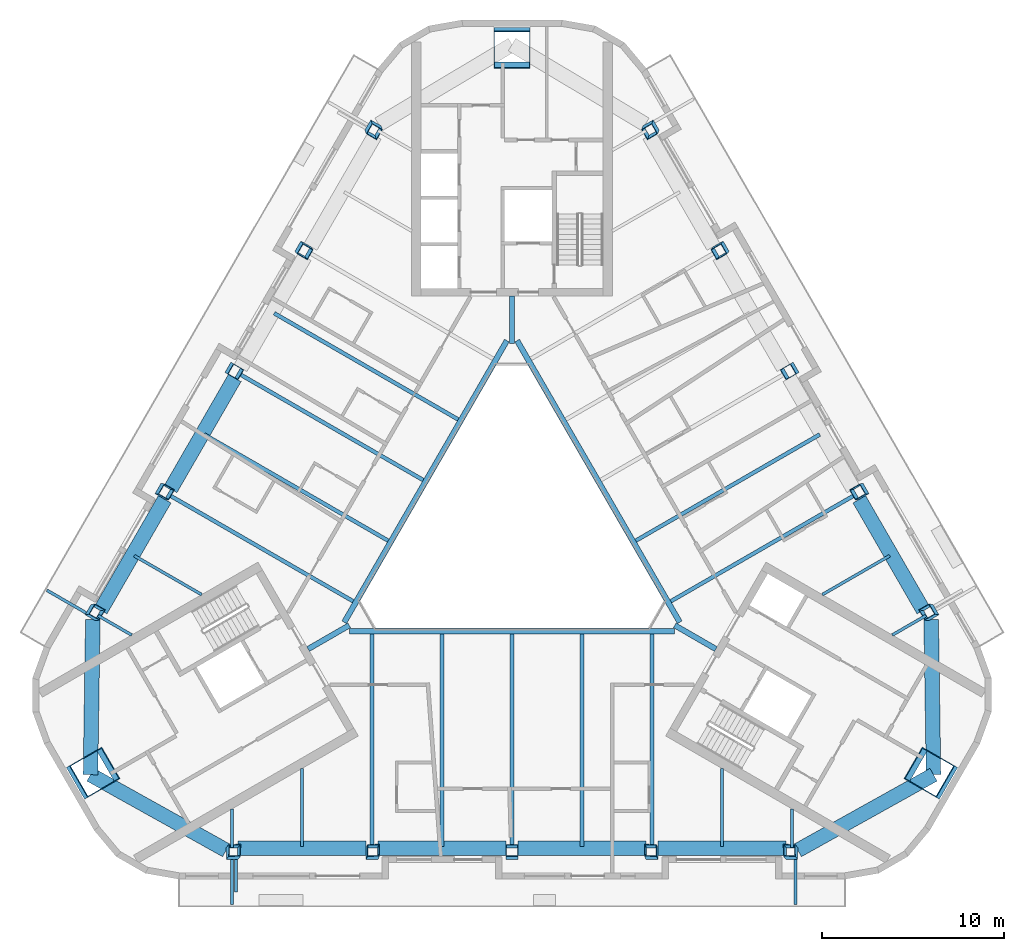
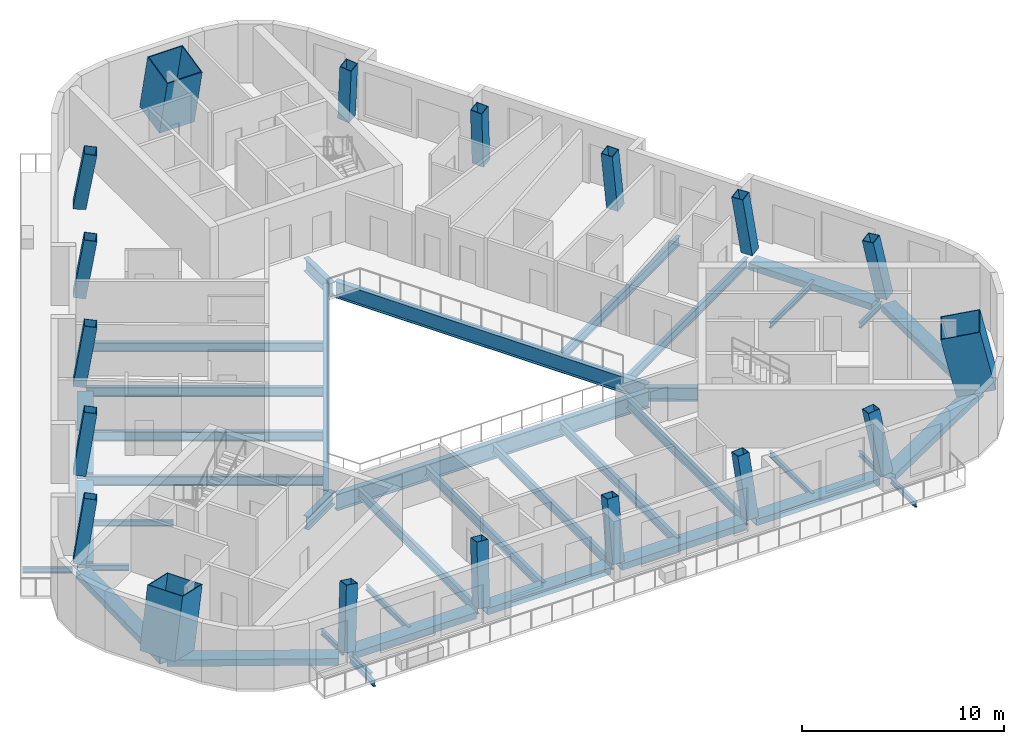
# One storey, part 1 of 14: 40 beams, 18 columns.
"""IFC4 building model written with IfcOpenShell, lengths in metres."""

from ifc_helpers import new_model, si_unit, direction, frame, origin, origin_2d, place, context, subcontext, project, spatial, rectangle, hollow_rectangle, i_section, extrude, boolean, halfspace, material, material_profile, profile_set, type_object, element, save


model = new_model("IFC4")

# Units and contexts
model_context = context("Model", 3, precision=1e-05, world=origin(), true_north=direction((0.0, 1.0)))
body_context = subcontext(model_context, "Body", "Model", "MODEL_VIEW")
ifc_project = project(units=[si_unit("LENGTHUNIT", "METRE"), si_unit("AREAUNIT", "SQUARE_METRE"), si_unit("VOLUMEUNIT", "CUBIC_METRE"), si_unit("PLANEANGLEUNIT", "RADIAN"), si_unit("MASSUNIT", "GRAM", prefix="KILO")], contexts=[model_context])

# Site, building, storey
site_placement = place(None, origin())
site = spatial("IfcSite", under=ifc_project, at=site_placement, CompositionType="ELEMENT")
building_placement = place(site_placement, origin())
building = spatial("IfcBuilding", under=site, at=building_placement, Name="Apuvela Tower Hotel", CompositionType="ELEMENT")
storey_placement = place(building_placement, frame((0.0, 0.0, 265.199951171875)))
storey = spatial("IfcBuildingStorey", under=building, at=storey_placement, Name="L65", CompositionType="ELEMENT", Elevation=265.199951171875)

# Columns
ifc_material_1 = material(Name="Steel S460", Category="steel")
ifc_material_profile_1 = material_profile(ifc_material_1, hollow_rectangle(XDim=2.0, YDim=2.0, WallThickness=0.050048828125, at=origin_2d()), Name="BOX 2000x2000x50")
ifc_material_2 = material(Name="Concrete C80/95", Category="concrete")
ifc_material_profile_2 = material_profile(ifc_material_2, rectangle(XDim=1.89990234375, YDim=1.89990234375, at=origin_2d()), Name="Concrete C80/95 infill")
ifc_profile_set_1 = profile_set([ifc_material_profile_1, ifc_material_profile_2], Name="Steel S460")
column_type_1 = type_object("IfcColumnType", Name="STR-MC mega column BOX 2000x2000x50", PredefinedType="COLUMN", material=ifc_profile_set_1)
for number, where, z_axis, x_axis, name in (
    (1, (0.0, 26.67626953125, 0.0), (0.0, -0.21982618752, 0.975539054718), (1.0, 0.0, 0.0), "Mega column MC4 N"),
    (2, (-23.102294921875, -13.338134765625, 0.0), (0.190346159062, 0.109881938965, 0.975548204457), (-0.499994868029, 0.866028366632, 1.1507946e-05), "Mega column MC4 SW"),
    (3, (23.102294921875, -13.338134765625, 0.0), (-0.190346159062, 0.109881938965, 0.975548204457), (0.499994868029, 0.866028366632, 1.1507946e-05), "Mega column MC4 SE"),
):
    element("IfcColumn", number, at=place(storey_placement, frame(where, z_axis=z_axis, x_axis=x_axis)), inside=storey, type_object=column_type_1, Name=name, PredefinedType="COLUMN", context=body_context, shape_type="SweptSolid", body=[
        boolean("DIFFERENCE", boolean("DIFFERENCE", extrude(hollow_rectangle(XDim=2.0, YDim=2.0, WallThickness=0.050048828125, at=origin_2d()), origin(), (0.0, 0.0, 1.0), 3.792724609375), halfspace(frame((0.0, 0.0, 0.11328125), z_axis=(0.0, 0.0, 1.0), x_axis=(1.0, 0.0, 0.0)), True)), halfspace(frame((0.0, 0.0, 3.679443359375), z_axis=(0.0, 0.0, 1.0), x_axis=(1.0, 0.0, 0.0)), False)),
    ])
ifc_material_profile_3 = material_profile(ifc_material_1, hollow_rectangle(XDim=0.64990234375, YDim=0.64990234375, WallThickness=0.030029296875, at=origin_2d()), Name="BOX 650x650x30")
ifc_material_profile_4 = material_profile(ifc_material_2, rectangle(XDim=0.590087890625, YDim=0.590087890625, at=origin_2d()), Name="Concrete C80/95 infill")
ifc_profile_set_2 = profile_set([ifc_material_profile_3, ifc_material_profile_4], Name="Steel S460")
column_type_2 = type_object("IfcColumnType", Name="STR-PC perimeter column BOX 650x650x30", PredefinedType="COLUMN", material=ifc_profile_set_2)
column_1_placement = place(storey_placement, frame((-15.343505859375, -17.662841796875, 0.0), z_axis=(0.121006106938, 0.150399778714, 0.981191840899), x_axis=(-0.992606962496, 0.008942251163, 0.121043191254)))
element("IfcColumn", 4, at=column_1_placement, inside=storey, type_object=column_type_2, Name="Perimeter column C6 S1", PredefinedType="COLUMN", context=body_context, shape_type="SweptSolid", body=[
    boolean("DIFFERENCE", boolean("DIFFERENCE", extrude(hollow_rectangle(XDim=0.64990234375, YDim=0.64990234375, WallThickness=0.030029296875, at=origin_2d()), origin(), (0.0, 0.0, 1.0), 3.77099609375), halfspace(frame((0.0, 0.0, 0.046875), z_axis=(0.0, 0.0, 1.0), x_axis=(1.0, 0.0, 0.0)), True)), halfspace(frame((0.0, 0.0, 3.72412109375), z_axis=(0.0, 0.0, 1.0), x_axis=(1.0, 0.0, 0.0)), False)),
])
column_2_placement = place(storey_placement, frame((-7.671875, -17.662841796875, 0.0), z_axis=(0.060870463553, 0.151232178432, 0.986622326361), x_axis=(-0.99813528898, 0.004713590867, 0.06085825296)))
element("IfcColumn", 5, at=column_2_placement, inside=storey, type_object=column_type_2, Name="Perimeter column C6 S2", PredefinedType="COLUMN", context=body_context, shape_type="SweptSolid", body=[
    boolean("DIFFERENCE", boolean("DIFFERENCE", extrude(hollow_rectangle(XDim=0.64990234375, YDim=0.64990234375, WallThickness=0.030029296875, at=origin_2d()), origin(), (0.0, 0.0, 1.0), 3.75), halfspace(frame((0.0, 0.0, 0.039794921875), z_axis=(0.0, 0.0, 1.0), x_axis=(1.0, 0.0, 0.0)), True)), halfspace(frame((0.0, 0.0, 3.71044921875), z_axis=(0.0, 0.0, 1.0), x_axis=(1.0, 0.0, 0.0)), False)),
])
column_3_placement = place(storey_placement, frame((0.0, -17.662841796875, 0.0), z_axis=(0.0, 0.151513133163, 0.98845524455), x_axis=(-1.0, 0.0, 0.0)))
element("IfcColumn", 6, at=column_3_placement, inside=storey, type_object=column_type_2, Name="Perimeter column C6 S3", PredefinedType="COLUMN", context=body_context, shape_type="SweptSolid", body=[
    boolean("DIFFERENCE", boolean("DIFFERENCE", extrude(hollow_rectangle(XDim=0.64990234375, YDim=0.64990234375, WallThickness=0.030029296875, at=origin_2d()), origin(), (0.0, 0.0, 1.0), 3.7431640625), halfspace(frame((0.0, 0.0, 0.037109375), z_axis=(0.0, 0.0, 1.0), x_axis=(1.0, 0.0, 0.0)), True)), halfspace(frame((0.0, 0.0, 3.7060546875), z_axis=(0.0, 0.0, 1.0), x_axis=(1.0, 0.0, 0.0)), False)),
])
column_4_placement = place(storey_placement, frame((7.671875, -17.662841796875, 0.0), z_axis=(-0.060870463553, 0.151232178432, 0.986622326361), x_axis=(0.99813528898, 0.004713590867, 0.06085825296)))
element("IfcColumn", 7, at=column_4_placement, inside=storey, type_object=column_type_2, Name="Perimeter column C6 S4", PredefinedType="COLUMN", context=body_context, shape_type="SweptSolid", body=[
    boolean("DIFFERENCE", boolean("DIFFERENCE", extrude(hollow_rectangle(XDim=0.64990234375, YDim=0.64990234375, WallThickness=0.030029296875, at=origin_2d()), origin(), (0.0, 0.0, 1.0), 3.75), halfspace(frame((0.0, 0.0, 0.039794921875), z_axis=(0.0, 0.0, 1.0), x_axis=(1.0, 0.0, 0.0)), True)), halfspace(frame((0.0, 0.0, 3.71044921875), z_axis=(0.0, 0.0, 1.0), x_axis=(1.0, 0.0, 0.0)), False)),
])
column_5_placement = place(storey_placement, frame((15.343505859375, -17.662841796875, 0.0), z_axis=(-0.121006106938, 0.150399778714, 0.981191840899), x_axis=(0.992606962496, 0.008942251163, 0.121043191254)))
element("IfcColumn", 8, at=column_5_placement, inside=storey, type_object=column_type_2, Name="Perimeter column C6 S5", PredefinedType="COLUMN", context=body_context, shape_type="SweptSolid", body=[
    boolean("DIFFERENCE", boolean("DIFFERENCE", extrude(hollow_rectangle(XDim=0.64990234375, YDim=0.64990234375, WallThickness=0.030029296875, at=origin_2d()), origin(), (0.0, 0.0, 1.0), 3.77099609375), halfspace(frame((0.0, 0.0, 0.046875), z_axis=(0.0, 0.0, 1.0), x_axis=(1.0, 0.0, 0.0)), True)), halfspace(frame((0.0, 0.0, 3.72412109375), z_axis=(0.0, 0.0, 1.0), x_axis=(1.0, 0.0, 0.0)), False)),
])
column_6_placement = place(storey_placement, frame((22.96826171875, -4.45654296875, 0.0), z_axis=(-0.190735471498, 0.029652697198, 0.981193506634), x_axis=(0.488320350716, -0.86422901804, 0.121043130549)))
element("IfcColumn", 9, at=column_6_placement, inside=storey, type_object=column_type_2, Name="Perimeter column C6 NE1", PredefinedType="COLUMN", context=body_context, shape_type="SweptSolid", body=[
    boolean("DIFFERENCE", boolean("DIFFERENCE", extrude(hollow_rectangle(XDim=0.64990234375, YDim=0.64990234375, WallThickness=0.030029296875, at=origin_2d()), origin(), (0.0, 0.0, 1.0), 3.770751953125), halfspace(frame((0.0, 0.0, 0.046875), z_axis=(0.0, 0.0, 1.0), x_axis=(1.0, 0.0, 0.0)), True)), halfspace(frame((0.0, 0.0, 3.72412109375), z_axis=(0.0, 0.0, 1.0), x_axis=(1.0, 0.0, 0.0)), False)),
])
column_7_placement = place(storey_placement, frame((19.13232421875, 2.1875, 0.0), z_axis=(-0.161388519526, -0.022915997932, 0.986624854139), x_axis=(0.495109873729, -0.866696335889, 0.060857820306)))
element("IfcColumn", 10, at=column_7_placement, inside=storey, type_object=column_type_2, Name="Perimeter column C6 NE2", PredefinedType="COLUMN", context=body_context, shape_type="SweptSolid", body=[
    boolean("DIFFERENCE", boolean("DIFFERENCE", extrude(hollow_rectangle(XDim=0.64990234375, YDim=0.64990234375, WallThickness=0.030029296875, at=origin_2d()), origin(), (0.0, 0.0, 1.0), 3.75), halfspace(frame((0.0, 0.0, 0.039794921875), z_axis=(0.0, 0.0, 1.0), x_axis=(1.0, 0.0, 0.0)), True)), halfspace(frame((0.0, 0.0, 3.71044921875), z_axis=(0.0, 0.0, 1.0), x_axis=(1.0, 0.0, 0.0)), False)),
])
column_8_placement = place(storey_placement, frame((15.29638671875, 8.83154296875, 0.0), z_axis=(-0.131164091109, -0.075789494713, 0.988459373821), x_axis=(-0.500216662939, 0.865900277091, 1.5863597e-05)))
element("IfcColumn", 11, at=column_8_placement, inside=storey, type_object=column_type_2, Name="Perimeter column C6 NE3", PredefinedType="COLUMN", context=body_context, shape_type="SweptSolid", body=[
    boolean("DIFFERENCE", boolean("DIFFERENCE", extrude(hollow_rectangle(XDim=0.64990234375, YDim=0.64990234375, WallThickness=0.030029296875, at=origin_2d()), origin(), (0.0, 0.0, 1.0), 3.7431640625), halfspace(frame((0.0, 0.0, 0.037109375), z_axis=(0.0, 0.0, 1.0), x_axis=(1.0, 0.0, 0.0)), True)), halfspace(frame((0.0, 0.0, 3.7060546875), z_axis=(0.0, 0.0, 1.0), x_axis=(1.0, 0.0, 0.0)), False)),
])
column_9_placement = place(storey_placement, frame((11.460693359375, 15.475341796875, 0.0), z_axis=(-0.100582464937, -0.128315882454, 0.986619583252), x_axis=(-0.502859866582, 0.862221844537, 0.060872369628)))
element("IfcColumn", 12, at=column_9_placement, inside=storey, type_object=column_type_2, Name="Perimeter column C6 NE4", PredefinedType="COLUMN", context=body_context, shape_type="SweptSolid", body=[
    boolean("DIFFERENCE", boolean("DIFFERENCE", extrude(hollow_rectangle(XDim=0.64990234375, YDim=0.64990234375, WallThickness=0.030029296875, at=origin_2d()), origin(), (0.0, 0.0, 1.0), 3.750244140625), halfspace(frame((0.0, 0.0, 0.039794921875), z_axis=(0.0, 0.0, 1.0), x_axis=(1.0, 0.0, 0.0)), True)), halfspace(frame((0.0, 0.0, 3.71044921875), z_axis=(0.0, 0.0, 1.0), x_axis=(1.0, 0.0, 0.0)), False)),
])
for number, where, z_axis, x_axis, name in (
    (13, (7.624755859375, 22.119384765625, 0.0), (-0.069728397733, -0.180050765176, 0.981182792608), (-0.504246941598, 0.855030910201, 0.121066776982), "Perimeter column C6 NE5"),
    (14, (-7.624755859375, 22.119384765625, 0.0), (0.069728397733, -0.180050765176, 0.981182792608), (0.504246941598, 0.855030910201, 0.121066776982), "Perimeter column C6 NW1"),
):
    element("IfcColumn", number, at=place(storey_placement, frame(where, z_axis=z_axis, x_axis=x_axis)), inside=storey, type_object=column_type_2, Name=name, PredefinedType="COLUMN", context=body_context, shape_type="SweptSolid", body=[
        boolean("DIFFERENCE", boolean("DIFFERENCE", extrude(hollow_rectangle(XDim=0.64990234375, YDim=0.64990234375, WallThickness=0.030029296875, at=origin_2d()), origin(), (0.0, 0.0, 1.0), 3.77099609375), halfspace(frame((0.0, 0.0, 0.046875), z_axis=(0.0, 0.0, 1.0), x_axis=(1.0, 0.0, 0.0)), True)), halfspace(frame((0.0, 0.0, 3.72412109375), z_axis=(0.0, 0.0, 1.0), x_axis=(1.0, 0.0, 0.0)), False)),
    ])
column_10_placement = place(storey_placement, frame((-11.460693359375, 15.475341796875, 0.0), z_axis=(0.100582464937, -0.128315882454, 0.986619583252), x_axis=(0.502859866582, 0.862221844537, 0.060872369628)))
element("IfcColumn", 15, at=column_10_placement, inside=storey, type_object=column_type_2, Name="Perimeter column C6 NW2", PredefinedType="COLUMN", context=body_context, shape_type="SweptSolid", body=[
    boolean("DIFFERENCE", boolean("DIFFERENCE", extrude(hollow_rectangle(XDim=0.64990234375, YDim=0.64990234375, WallThickness=0.030029296875, at=origin_2d()), origin(), (0.0, 0.0, 1.0), 3.750244140625), halfspace(frame((0.0, 0.0, 0.039794921875), z_axis=(0.0, 0.0, 1.0), x_axis=(1.0, 0.0, 0.0)), True)), halfspace(frame((0.0, 0.0, 3.71044921875), z_axis=(0.0, 0.0, 1.0), x_axis=(1.0, 0.0, 0.0)), False)),
])
column_11_placement = place(storey_placement, frame((-15.29638671875, 8.83154296875, 0.0), z_axis=(0.131164091109, -0.075789494713, 0.988459373821), x_axis=(0.500216662939, 0.865900277091, 1.5863597e-05)))
element("IfcColumn", 16, at=column_11_placement, inside=storey, type_object=column_type_2, Name="Perimeter column C6 NW3", PredefinedType="COLUMN", context=body_context, shape_type="SweptSolid", body=[
    boolean("DIFFERENCE", boolean("DIFFERENCE", extrude(hollow_rectangle(XDim=0.64990234375, YDim=0.64990234375, WallThickness=0.030029296875, at=origin_2d()), origin(), (0.0, 0.0, 1.0), 3.7431640625), halfspace(frame((0.0, 0.0, 0.037109375), z_axis=(0.0, 0.0, 1.0), x_axis=(1.0, 0.0, 0.0)), True)), halfspace(frame((0.0, 0.0, 3.7060546875), z_axis=(0.0, 0.0, 1.0), x_axis=(1.0, 0.0, 0.0)), False)),
])
column_12_placement = place(storey_placement, frame((-19.13232421875, 2.1875, 0.0), z_axis=(0.161388519526, -0.022915997932, 0.986624854139), x_axis=(-0.495109873729, -0.866696335889, 0.060857820306)))
element("IfcColumn", 17, at=column_12_placement, inside=storey, type_object=column_type_2, Name="Perimeter column C6 NW4", PredefinedType="COLUMN", context=body_context, shape_type="SweptSolid", body=[
    boolean("DIFFERENCE", boolean("DIFFERENCE", extrude(hollow_rectangle(XDim=0.64990234375, YDim=0.64990234375, WallThickness=0.030029296875, at=origin_2d()), origin(), (0.0, 0.0, 1.0), 3.75), halfspace(frame((0.0, 0.0, 0.039794921875), z_axis=(0.0, 0.0, 1.0), x_axis=(1.0, 0.0, 0.0)), True)), halfspace(frame((0.0, 0.0, 3.71044921875), z_axis=(0.0, 0.0, 1.0), x_axis=(1.0, 0.0, 0.0)), False)),
])
column_13_placement = place(storey_placement, frame((-22.96826171875, -4.45654296875, 0.0), z_axis=(0.190735471498, 0.029652697198, 0.981193506634), x_axis=(-0.488320350716, -0.86422901804, 0.121043130549)))
element("IfcColumn", 18, at=column_13_placement, inside=storey, type_object=column_type_2, Name="Perimeter column C6 NW5", PredefinedType="COLUMN", context=body_context, shape_type="SweptSolid", body=[
    boolean("DIFFERENCE", boolean("DIFFERENCE", extrude(hollow_rectangle(XDim=0.64990234375, YDim=0.64990234375, WallThickness=0.030029296875, at=origin_2d()), origin(), (0.0, 0.0, 1.0), 3.770751953125), halfspace(frame((0.0, 0.0, 0.046875), z_axis=(0.0, 0.0, 1.0), x_axis=(1.0, 0.0, 0.0)), True)), halfspace(frame((0.0, 0.0, 3.72412109375), z_axis=(0.0, 0.0, 1.0), x_axis=(1.0, 0.0, 0.0)), False)),
])

# Beams
ifc_material_3 = material(Name="Steel S355", Category="steel")
ifc_material_profile_5 = material_profile(ifc_material_3, i_section(OverallWidth=0.159912109375, OverallDepth=0.330078125, WebThickness=0.007568359375, FlangeThickness=0.011474609375, at=origin_2d()), Name="IPE 330")
ifc_profile_set_3 = profile_set([ifc_material_profile_5], Name="Steel S355")
beam_type_1 = type_object("IfcBeamType", Name="ENV-BALCONY-BEAM-IPE330", PredefinedType="BEAM", material=ifc_profile_set_3)
beam_1_placement = place(storey_placement, frame((-15.343505859375, -17.98779296875, -0.31494140625), z_axis=(0.0, -1.0, 0.0), x_axis=(1.0, 0.0, 0.0)))
element("IfcBeam", 19, at=beam_1_placement, inside=storey, type_object=beam_type_1, Name="Balcony cantilever beam S1 L65", PredefinedType="BEAM", context=body_context, shape_type="SweptSolid", body=[
    extrude(i_section(OverallWidth=0.159912109375, OverallDepth=0.330078125, WebThickness=0.007568359375, FlangeThickness=0.011474609375, at=origin_2d()), origin(), (0.0, 0.0, 1.0), 2.47509765625),
])
beam_2_placement = place(storey_placement, frame((-15.12353515625, -17.98779296875, -0.31494140625), z_axis=(0.0, -1.0, 0.0), x_axis=(1.0, 0.0, 0.0)))
element("IfcBeam", 20, at=beam_2_placement, inside=storey, type_object=beam_type_1, Name="Balcony cantilever beam S2 L65", PredefinedType="BEAM", context=body_context, shape_type="SweptSolid", body=[
    extrude(i_section(OverallWidth=0.159912109375, OverallDepth=0.330078125, WebThickness=0.007568359375, FlangeThickness=0.011474609375, at=origin_2d()), origin(), (0.0, 0.0, 1.0), 1.775146484375),
])
beam_3_placement = place(storey_placement, frame((15.543701171875, -17.98779296875, -0.31494140625), z_axis=(0.0, -1.0, 0.0), x_axis=(1.0, 0.0, 0.0)))
element("IfcBeam", 21, at=beam_3_placement, inside=storey, type_object=beam_type_1, Name="Balcony cantilever beam S3 L65", PredefinedType="BEAM", context=body_context, shape_type="SweptSolid", body=[
    extrude(i_section(OverallWidth=0.159912109375, OverallDepth=0.330078125, WebThickness=0.007568359375, FlangeThickness=0.011474609375, at=origin_2d()), origin(), (0.0, 0.0, 1.0), 2.47509765625),
])
beam_4_placement = place(storey_placement, frame((-23.349853515625, -4.46728515625, -0.31494140625), z_axis=(-0.866006523861, 0.500032699561, 0.0), x_axis=(-0.500032699561, -0.866006523861, 0.0)))
element("IfcBeam", 22, at=beam_4_placement, inside=storey, type_object=beam_type_1, Name="Balcony cantilever beam NW3 L65", PredefinedType="BEAM", context=body_context, shape_type="SweptSolid", body=[
    extrude(i_section(OverallWidth=0.159912109375, OverallDepth=0.330078125, WebThickness=0.007568359375, FlangeThickness=0.011474609375, at=origin_2d()), origin(), (0.0, 0.0, 1.0), 2.474853515625),
])
ifc_material_profile_6 = material_profile(ifc_material_3, i_section(OverallWidth=0.159912109375, OverallDepth=0.330078125, WebThickness=0.007568359375, FlangeThickness=0.011474609375, at=origin_2d()), Name="IPE 330")
ifc_profile_set_4 = profile_set([ifc_material_profile_6], Name="Steel S355")
beam_type_2 = type_object("IfcBeamType", Name="STR-B floor beam IPE 330", PredefinedType="BEAM", material=ifc_profile_set_4)
beam_5_placement = place(storey_placement, frame((22.686767578125, -4.618896484375, -0.31494140625), z_axis=(-0.866025132214, -0.500000470374, 0.0), x_axis=(0.500000470374, -0.866025132214, 0.0)))
element("IfcBeam", 23, at=beam_5_placement, inside=storey, type_object=beam_type_2, Name="Floor beam B1 NE1", PredefinedType="BEAM", context=body_context, shape_type="SweptSolid", body=[
    extrude(i_section(OverallWidth=0.159912109375, OverallDepth=0.330078125, WebThickness=0.007568359375, FlangeThickness=0.011474609375, at=origin_2d()), origin(), (0.0, 0.0, 1.0), 2.12841796875),
])
for number, where, z_axis, x_axis, name in (
    (24, (20.7041015625, -1.33447265625, -0.31494140625), (-0.866027461465, -0.499996435975, 0.0), (0.499996435975, -0.866027461465, 0.0), "Floor beam B1 NE2"),
    (25, (-20.7041015625, -1.33447265625, -0.31494140625), (0.866027461465, -0.499996435975, 0.0), (0.499996435975, 0.866027461465, 0.0), "Floor beam B1 NW8"),
):
    element("IfcBeam", number, at=place(storey_placement, frame(where, z_axis=z_axis, x_axis=x_axis)), inside=storey, type_object=beam_type_2, Name=name, PredefinedType="BEAM", context=body_context, shape_type="SweptSolid", body=[
        extrude(i_section(OverallWidth=0.159912109375, OverallDepth=0.330078125, WebThickness=0.007568359375, FlangeThickness=0.011474609375, at=origin_2d()), origin(), (0.0, 0.0, 1.0), 4.26806640625),
    ])
for number, where, z_axis, x_axis, name in (
    (26, (-22.686767578125, -4.618896484375, -0.31494140625), (0.866025132214, -0.500000470374, 0.0), (0.500000470374, 0.866025132214, 0.0), "Floor beam B1 NW9"),
    (27, (-15.343505859375, -17.337890625, -0.31494140625), (0.0, 1.0, 0.0), (-1.0, 0.0, 0.0), "Floor beam B1 S1"),
):
    element("IfcBeam", number, at=place(storey_placement, frame(where, z_axis=z_axis, x_axis=x_axis)), inside=storey, type_object=beam_type_2, Name=name, PredefinedType="BEAM", context=body_context, shape_type="SweptSolid", body=[
        extrude(i_section(OverallWidth=0.159912109375, OverallDepth=0.330078125, WebThickness=0.007568359375, FlangeThickness=0.011474609375, at=origin_2d()), origin(), (0.0, 0.0, 1.0), 2.12841796875),
    ])
for number, where, z_axis, x_axis, name in (
    (28, (-11.5078125, -17.262939453125, -0.31494140625), (0.0, 1.0, 0.0), (-1.0, 0.0, 0.0), "Floor beam B1 S2"),
    (29, (11.5078125, -17.262939453125, -0.31494140625), (0.0, 1.0, 0.0), (-1.0, 0.0, 0.0), "Floor beam B1 S8"),
):
    element("IfcBeam", number, at=place(storey_placement, frame(where, z_axis=z_axis, x_axis=x_axis)), inside=storey, type_object=beam_type_2, Name=name, PredefinedType="BEAM", context=body_context, shape_type="SweptSolid", body=[
        extrude(i_section(OverallWidth=0.159912109375, OverallDepth=0.330078125, WebThickness=0.007568359375, FlangeThickness=0.011474609375, at=origin_2d()), origin(), (0.0, 0.0, 1.0), 4.26806640625),
    ])
beam_6_placement = place(storey_placement, frame((15.343505859375, -17.337890625, -0.31494140625), z_axis=(0.0, 1.0, 0.0), x_axis=(-1.0, 0.0, 0.0)))
element("IfcBeam", 30, at=beam_6_placement, inside=storey, type_object=beam_type_2, Name="Floor beam B1 S9", PredefinedType="BEAM", context=body_context, shape_type="SweptSolid", body=[
    extrude(i_section(OverallWidth=0.159912109375, OverallDepth=0.330078125, WebThickness=0.007568359375, FlangeThickness=0.011474609375, at=origin_2d()), origin(), (0.0, 0.0, 1.0), 2.12841796875),
])
ifc_material_profile_7 = material_profile(ifc_material_3, i_section(OverallWidth=0.2099609375, OverallDepth=0.550048828125, WebThickness=0.010986328125, FlangeThickness=0.01708984375, at=origin_2d()), Name="IPE 550")
ifc_profile_set_5 = profile_set([ifc_material_profile_7], Name="Steel S355")
beam_type_3 = type_object("IfcBeamType", Name="STR-B floor beam IPE 550", PredefinedType="BEAM", material=ifc_profile_set_5)
beam_7_placement = place(storey_placement, frame((18.85107421875, 2.02490234375, -0.425048828125), z_axis=(-0.866031887023, -0.499988770534, 0.0), x_axis=(0.499988770534, -0.866031887023, 0.0)))
element("IfcBeam", 31, at=beam_7_placement, inside=storey, type_object=beam_type_3, Name="Floor beam B7 NE3", PredefinedType="BEAM", context=body_context, shape_type="SweptSolid", body=[
    extrude(i_section(OverallWidth=0.2099609375, OverallDepth=0.550048828125, WebThickness=0.010986328125, FlangeThickness=0.01708984375, at=origin_2d()), origin(), (0.0, 0.0, 1.0), 11.718017578125),
])
beam_8_placement = place(storey_placement, frame((16.8681640625, 5.3095703125, -0.425048828125), z_axis=(-0.866026706426, -0.499997743752, 0.0), x_axis=(0.499997743752, -0.866026706426, 0.0)))
element("IfcBeam", 32, at=beam_8_placement, inside=storey, type_object=beam_type_3, Name="Floor beam B7 NE4", PredefinedType="BEAM", context=body_context, shape_type="SweptSolid", body=[
    extrude(i_section(OverallWidth=0.2099609375, OverallDepth=0.550048828125, WebThickness=0.010986328125, FlangeThickness=0.01708984375, at=origin_2d()), origin(), (0.0, 0.0, 1.0), 11.64306640625),
])
beam_9_placement = place(storey_placement, frame((-13.0322265625, 11.953369140625, -0.425048828125), z_axis=(0.866030544062, -0.499991096673, 0.0), x_axis=(0.499991096673, 0.866030544062, 0.0)))
element("IfcBeam", 33, at=beam_9_placement, inside=storey, type_object=beam_type_3, Name="Floor beam B7 NW4", PredefinedType="BEAM", context=body_context, shape_type="SweptSolid", body=[
    extrude(i_section(OverallWidth=0.2099609375, OverallDepth=0.550048828125, WebThickness=0.010986328125, FlangeThickness=0.01708984375, at=origin_2d()), origin(), (0.0, 0.0, 1.0), 11.642822265625),
])
beam_10_placement = place(storey_placement, frame((-15.01513671875, 8.6689453125, -0.425048828125), z_axis=(0.866026678465, -0.499997792181, 0.0), x_axis=(0.499997792181, 0.866026678465, 0.0)))
element("IfcBeam", 34, at=beam_10_placement, inside=storey, type_object=beam_type_3, Name="Floor beam B7 NW5", PredefinedType="BEAM", context=body_context, shape_type="SweptSolid", body=[
    extrude(i_section(OverallWidth=0.2099609375, OverallDepth=0.550048828125, WebThickness=0.010986328125, FlangeThickness=0.01708984375, at=origin_2d()), origin(), (0.0, 0.0, 1.0), 11.7177734375),
])
beam_11_placement = place(storey_placement, frame((-16.8681640625, 5.3095703125, -0.425048828125), z_axis=(0.866026706426, -0.499997743752, 0.0), x_axis=(0.499997743752, 0.866026706426, 0.0)))
element("IfcBeam", 35, at=beam_11_placement, inside=storey, type_object=beam_type_3, Name="Floor beam B7 NW6", PredefinedType="BEAM", context=body_context, shape_type="SweptSolid", body=[
    extrude(i_section(OverallWidth=0.2099609375, OverallDepth=0.550048828125, WebThickness=0.010986328125, FlangeThickness=0.01708984375, at=origin_2d()), origin(), (0.0, 0.0, 1.0), 11.64306640625),
])
beam_12_placement = place(storey_placement, frame((-18.85107421875, 2.02490234375, -0.425048828125), z_axis=(0.866031887023, -0.499988770534, 0.0), x_axis=(0.499988770534, 0.866031887023, 0.0)))
element("IfcBeam", 36, at=beam_12_placement, inside=storey, type_object=beam_type_3, Name="Floor beam B7 NW7", PredefinedType="BEAM", context=body_context, shape_type="SweptSolid", body=[
    extrude(i_section(OverallWidth=0.2099609375, OverallDepth=0.550048828125, WebThickness=0.010986328125, FlangeThickness=0.01708984375, at=origin_2d()), origin(), (0.0, 0.0, 1.0), 11.718017578125),
])
beam_13_placement = place(storey_placement, frame((-7.671875, -17.337890625, -0.425048828125), z_axis=(0.0, 1.0, 0.0), x_axis=(-1.0, 0.0, 0.0)))
element("IfcBeam", 37, at=beam_13_placement, inside=storey, type_object=beam_type_3, Name="Floor beam B7 S3", PredefinedType="BEAM", context=body_context, shape_type="SweptSolid", body=[
    extrude(i_section(OverallWidth=0.2099609375, OverallDepth=0.550048828125, WebThickness=0.010986328125, FlangeThickness=0.01708984375, at=origin_2d()), origin(), (0.0, 0.0, 1.0), 11.7177734375),
])
beam_14_placement = place(storey_placement, frame((-3.8359375, -17.262939453125, -0.425048828125), z_axis=(0.0, 1.0, 0.0), x_axis=(-1.0, 0.0, 0.0)))
element("IfcBeam", 38, at=beam_14_placement, inside=storey, type_object=beam_type_3, Name="Floor beam B7 S4", PredefinedType="BEAM", context=body_context, shape_type="SweptSolid", body=[
    extrude(i_section(OverallWidth=0.2099609375, OverallDepth=0.550048828125, WebThickness=0.010986328125, FlangeThickness=0.01708984375, at=origin_2d()), origin(), (0.0, 0.0, 1.0), 11.642822265625),
])
beam_15_placement = place(storey_placement, frame((0.0, -17.337890625, -0.425048828125), z_axis=(0.0, 1.0, 0.0), x_axis=(-1.0, 0.0, 0.0)))
element("IfcBeam", 39, at=beam_15_placement, inside=storey, type_object=beam_type_3, Name="Floor beam B7 S5", PredefinedType="BEAM", context=body_context, shape_type="SweptSolid", body=[
    extrude(i_section(OverallWidth=0.2099609375, OverallDepth=0.550048828125, WebThickness=0.010986328125, FlangeThickness=0.01708984375, at=origin_2d()), origin(), (0.0, 0.0, 1.0), 11.7177734375),
])
beam_16_placement = place(storey_placement, frame((3.8359375, -17.262939453125, -0.425048828125), z_axis=(0.0, 1.0, 0.0), x_axis=(-1.0, 0.0, 0.0)))
element("IfcBeam", 40, at=beam_16_placement, inside=storey, type_object=beam_type_3, Name="Floor beam B7 S6", PredefinedType="BEAM", context=body_context, shape_type="SweptSolid", body=[
    extrude(i_section(OverallWidth=0.2099609375, OverallDepth=0.550048828125, WebThickness=0.010986328125, FlangeThickness=0.01708984375, at=origin_2d()), origin(), (0.0, 0.0, 1.0), 11.642822265625),
])
beam_17_placement = place(storey_placement, frame((7.671875, -17.337890625, -0.425048828125), z_axis=(0.0, 1.0, 0.0), x_axis=(-1.0, 0.0, 0.0)))
element("IfcBeam", 41, at=beam_17_placement, inside=storey, type_object=beam_type_3, Name="Floor beam B7 S7", PredefinedType="BEAM", context=body_context, shape_type="SweptSolid", body=[
    extrude(i_section(OverallWidth=0.2099609375, OverallDepth=0.550048828125, WebThickness=0.010986328125, FlangeThickness=0.01708984375, at=origin_2d()), origin(), (0.0, 0.0, 1.0), 11.7177734375),
])
ifc_material_profile_8 = material_profile(ifc_material_3, i_section(OverallWidth=0.300048828125, OverallDepth=0.989990234375, WebThickness=0.0166015625, FlangeThickness=0.031005859375, at=origin_2d()), Name="HE 1000 A")
ifc_profile_set_6 = profile_set([ifc_material_profile_8], Name="Steel S355")
beam_type_4 = type_object("IfcBeamType", Name="STR-G atrium ring girder HE 1000 A", PredefinedType="BEAM", material=ifc_profile_set_6)
beam_18_placement = place(storey_placement, frame((-0.27978515625, 10.455078125, -0.64501953125), z_axis=(-0.500006541319, -0.866021627119, 0.0), x_axis=(0.866021627119, -0.500006541319, 0.0)))
element("IfcBeam", 42, at=beam_18_placement, inside=storey, type_object=beam_type_4, Name="Atrium ring girder G3 N-SW", PredefinedType="BEAM", context=body_context, shape_type="SweptSolid", body=[
    extrude(i_section(OverallWidth=0.300048828125, OverallDepth=0.989990234375, WebThickness=0.0166015625, FlangeThickness=0.031005859375, at=origin_2d()), origin(), (0.0, 0.0, 1.0), 17.828857421875),
])
beam_19_placement = place(storey_placement, frame((-8.91455078125, -5.469970703125, -0.64501953125), z_axis=(1.0, 0.0, 0.0), x_axis=(0.0, 1.0, 0.0)))
element("IfcBeam", 43, at=beam_19_placement, inside=storey, type_object=beam_type_4, Name="Atrium ring girder G3 SW-SE", PredefinedType="BEAM", context=body_context, shape_type="SweptSolid", body=[
    extrude(i_section(OverallWidth=0.300048828125, OverallDepth=0.989990234375, WebThickness=0.0166015625, FlangeThickness=0.031005859375, at=origin_2d()), origin(), (0.0, 0.0, 1.0), 17.8291015625),
])
beam_20_placement = place(storey_placement, frame((9.1943359375, -4.985107421875, -0.64501953125), z_axis=(-0.500006541319, 0.866021627119, 0.0), x_axis=(-0.866021627119, -0.500006541319, 0.0)))
element("IfcBeam", 44, at=beam_20_placement, inside=storey, type_object=beam_type_4, Name="Atrium ring girder G3 SE-N", PredefinedType="BEAM", context=body_context, shape_type="SweptSolid", body=[
    extrude(i_section(OverallWidth=0.300048828125, OverallDepth=0.989990234375, WebThickness=0.0166015625, FlangeThickness=0.031005859375, at=origin_2d()), origin(), (0.0, 0.0, 1.0), 17.828857421875),
])
ifc_material_profile_9 = material_profile(ifc_material_3, i_section(OverallWidth=0.300048828125, OverallDepth=0.800048828125, WebThickness=0.017578125, FlangeThickness=0.032958984375, at=origin_2d()), Name="HE 800 B")
ifc_profile_set_7 = profile_set([ifc_material_profile_9], Name="Steel S355")
beam_type_5 = type_object("IfcBeamType", Name="STR-GT core tie beam HE 800 B", PredefinedType="BEAM", material=ifc_profile_set_7)
for number, where, z_axis, x_axis, name in (
    (45, (0.0, 12.89990234375, -0.550048828125), (0.0, -1.0, 0.0), (1.0, 0.0, 0.0), "Core tie beam GT1 N"),
    (46, (-11.171630859375, -6.449951171875, -0.550048828125), (0.865997922154, 0.500047596559, 0.0), (-0.500047596559, 0.865997922154, 0.0), "Core tie beam GT1 SW"),
    (47, (11.171630859375, -6.449951171875, -0.550048828125), (-0.865997922154, 0.500047596559, 0.0), (-0.500047596559, -0.865997922154, 0.0), "Core tie beam GT1 SE"),
):
    element("IfcBeam", number, at=place(storey_placement, frame(where, z_axis=z_axis, x_axis=x_axis)), inside=storey, type_object=beam_type_5, Name=name, PredefinedType="BEAM", context=body_context, shape_type="SweptSolid", body=[
        extrude(i_section(OverallWidth=0.300048828125, OverallDepth=0.800048828125, WebThickness=0.017578125, FlangeThickness=0.032958984375, at=origin_2d()), origin(), (0.0, 0.0, 1.0), 2.599853515625),
    ])
ifc_material_profile_10 = material_profile(ifc_material_1, hollow_rectangle(XDim=0.800048828125, YDim=0.39990234375, WallThickness=0.02490234375, at=origin_2d()), Name="BOX 800x400x25")
ifc_profile_set_8 = profile_set([ifc_material_profile_10], Name="Steel S460")
beam_type_6 = type_object("IfcBeamType", Name="STR-RB perimeter ring beam BOX 800x400x25", PredefinedType="SPANDREL", material=ifc_profile_set_8)
for number, where, z_axis, x_axis, name in (
    (48, (-15.0185546875, -17.36279296875, -0.39990234375), (1.0, 0.0, 0.0), (0.0, 1.0, 0.0), "Ring beam RB1 S1"),
    (49, (-7.3466796875, -17.36279296875, -0.39990234375), (1.0, 0.0, 0.0), (0.0, 1.0, 0.0), "Ring beam RB1 S2"),
    (50, (0.324951171875, -17.36279296875, -0.39990234375), (1.0, 0.0, 0.0), (0.0, 1.0, 0.0), "Ring beam RB1 S3"),
    (51, (7.996826171875, -17.36279296875, -0.39990234375), (1.0, 0.0, 0.0), (0.0, 1.0, 0.0), "Ring beam RB1 S4"),
    (52, (22.5458984375, -4.324951171875, -0.39990234375), (-0.499983297449, 0.866035046792, 0.0), (-0.866035046792, -0.499983297449, 0.0), "Ring beam RB1 NE1"),
    (53, (-15.19921875, 8.39990234375, -0.39990234375), (-0.500024430241, -0.866011298519, 0.0), (0.866011298519, -0.500024430241, 0.0), "Ring beam RB1 NW3"),
    (54, (-19.03515625, 1.756103515625, -0.39990234375), (-0.499983297449, -0.866035046792, 0.0), (0.866035046792, -0.499983297449, 0.0), "Ring beam RB1 NW4"),
):
    element("IfcBeam", number, at=place(storey_placement, frame(where, z_axis=z_axis, x_axis=x_axis)), inside=storey, type_object=beam_type_6, Name=name, PredefinedType="SPANDREL", context=body_context, shape_type="SweptSolid", body=[
        extrude(hollow_rectangle(XDim=0.800048828125, YDim=0.39990234375, WallThickness=0.02490234375, at=origin_2d()), origin(), (0.0, 0.0, 1.0), 7.021728515625),
    ])
for number, where, z_axis, x_axis, name in (
    (55, (-15.668701171875, -17.481689453125, -0.39990234375), (-0.873468989266, 0.486879784742, 0.0), (-0.486879784742, -0.873468989266, 0.0), "Ring beam RB1 S1-SW"),
    (56, (15.668701171875, -17.481689453125, -0.39990234375), (0.873468989266, 0.486879784742, 0.0), (-0.486879784742, 0.873468989266, 0.0), "Ring beam RB1 S5-SE"),
    (57, (22.973876953125, -4.82861328125, -0.39990234375), (0.015089373528, -0.999886148922, 0.0), (0.999886148922, 0.015089373528, 0.0), "Ring beam RB1 NE1-SE"),
    (58, (-22.973876953125, -4.82861328125, -0.39990234375), (-0.015089373528, -0.999886148922, 0.0), (0.999886148922, -0.015089373528, 0.0), "Ring beam RB1 NW5-SW"),
):
    element("IfcBeam", number, at=place(storey_placement, frame(where, z_axis=z_axis, x_axis=x_axis)), inside=storey, type_object=beam_type_6, Name=name, PredefinedType="SPANDREL", context=body_context, shape_type="SweptSolid", body=[
        extrude(hollow_rectangle(XDim=0.800048828125, YDim=0.39990234375, WallThickness=0.02490234375, at=origin_2d()), origin(), (0.0, 0.0, 1.0), 8.510498046875),
    ])

save(model, "model.ifc")
